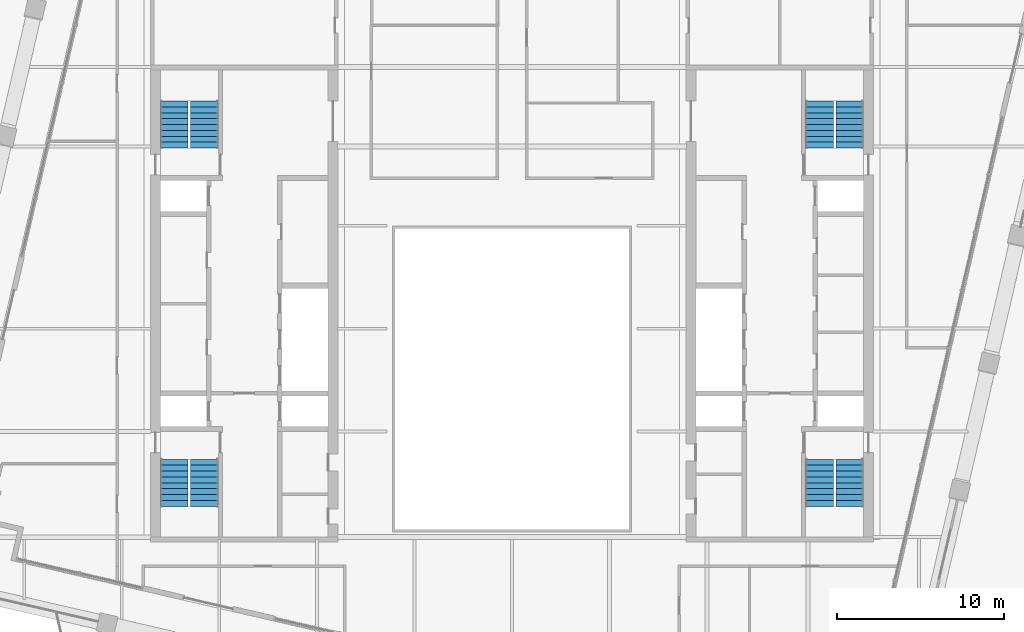
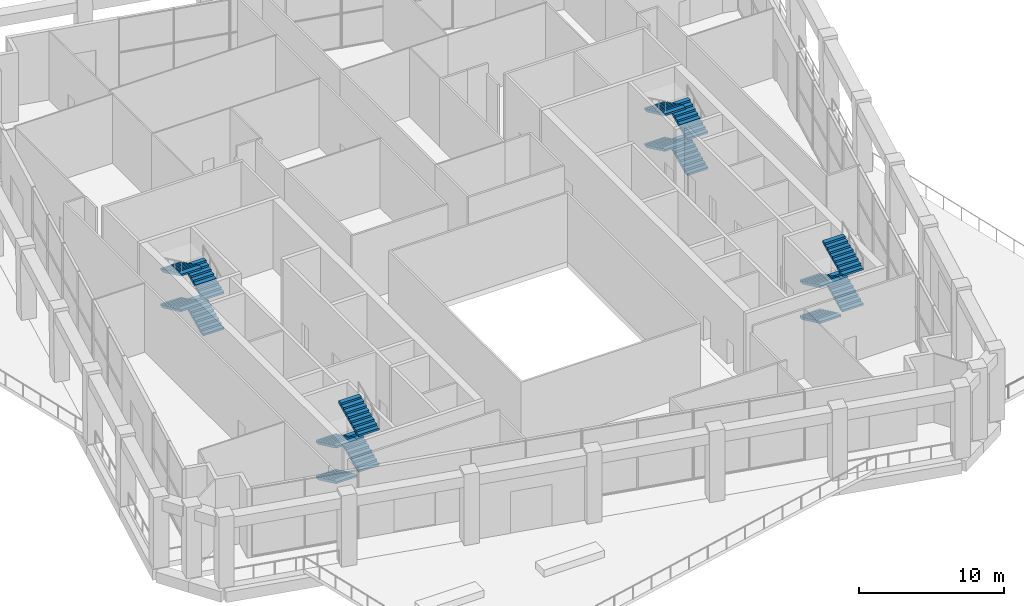
# One storey, part 17 of 21: 16 stair flights, 4 elements without a shape of their own.
"""IFC4 building model written with IfcOpenShell, lengths in metres."""

from ifc_helpers import new_model, si_unit, direction, frame, origin, place, context, subcontext, project, spatial, polyline, outline, extrude, material, type_object, element, aggregate, save


model = new_model("IFC4")

# Units and contexts
model_context = context("Model", 3, precision=1e-05, world=origin(), true_north=direction((0.0, 1.0)))
body_context = subcontext(model_context, "Body", "Model", "MODEL_VIEW")
ifc_project = project(units=[si_unit("LENGTHUNIT", "METRE"), si_unit("AREAUNIT", "SQUARE_METRE"), si_unit("VOLUMEUNIT", "CUBIC_METRE"), si_unit("PLANEANGLEUNIT", "RADIAN"), si_unit("MASSUNIT", "GRAM", prefix="KILO")], contexts=[model_context])

# Site, building, storey
site_placement = place(None, origin())
site = spatial("IfcSite", under=ifc_project, at=site_placement, CompositionType="ELEMENT")
building_placement = place(site_placement, origin())
building = spatial("IfcBuilding", under=site, at=building_placement, Name="Ogive Exchange Tower", CompositionType="ELEMENT")
storey_placement = place(building_placement, frame((0.0, 0.0, 237.0)))
storey = spatial("IfcBuildingStorey", under=building, at=storey_placement, Name="L51", CompositionType="ELEMENT", Elevation=237.0)

# Stair, stair flights
ifc_material = material(Name="Concrete C40/50", Category="concrete")
stair_type = type_object("IfcStairType", Name="Exit stair 1650 wide", PredefinedType="HALF_TURN_STAIR", material=ifc_material)
stair_1_placement = place(storey_placement, origin())
stair_1 = element("IfcStair", 1, at=stair_1_placement, inside=storey, type_object=stair_type, Name="L51 exit stair ST1", PredefinedType="HALF_TURN_STAIR")
stair_flight_type = type_object("IfcStairFlightType", Name="Stair flight 1650 wide", PredefinedType="STRAIGHT", material=ifc_material)
stair_flight_1_placement = place(storey_placement, frame((-20.175048828125, 2.199951171875, 0.0), z_axis=(0.0, 0.0, 1.0), x_axis=(0.0, -1.0, 0.0)))
stair_flight_1 = element("IfcStairFlight", 2, at=stair_flight_1_placement, type_object=stair_flight_type, Name="ST1 flight 1", NumberOfRisers=9, NumberOfTreads=8, PredefinedType="STRAIGHT", RiserHeight=0.166666667, TreadLength=0.351, context=body_context, shape_type="SweptSolid", body=[
    extrude(outline(polyline([(0.0, 0.0), (0.0, 0.166748046875), (0.35107421875, 0.166748046875), (0.35107421875, 0.333251953125), (0.701904296875, 0.333251953125), (0.701904296875, 0.5), (1.052978515625, 0.5), (1.052978515625, 0.666748046875), (1.404052734375, 0.666748046875), (1.404052734375, 0.833251953125), (1.7548828125, 0.833251953125), (1.7548828125, 1.0), (2.10595703125, 1.0), (2.10595703125, 1.166748046875), (2.45703125, 1.166748046875), (2.45703125, 1.333251953125), (2.80810546875, 1.333251953125), (2.80810546875, 1.5), (2.80810546875, 1.16748046875), (0.349365234375, 0.0), (0.0, 0.0)])), frame((0.0, 0.824951171875, 0.0), z_axis=(0.0, -1.0, 0.0), x_axis=(1.0, 0.0, 0.0)), (0.0, 0.0, 1.0), 1.64990234375),
])
stair_flight_2_placement = place(storey_placement, frame((-18.375, -0.60791015625, 1.5), z_axis=(0.0, 0.0, 1.0), x_axis=(0.0, 1.0, 0.0)))
stair_flight_2 = element("IfcStairFlight", 3, at=stair_flight_2_placement, type_object=stair_flight_type, Name="ST1 flight 2", NumberOfRisers=9, NumberOfTreads=8, PredefinedType="STRAIGHT", RiserHeight=0.166666667, TreadLength=0.351, context=body_context, shape_type="SweptSolid", body=[
    extrude(outline(polyline([(0.0, 0.0), (0.0, 0.166748046875), (0.35107421875, 0.166748046875), (0.35107421875, 0.333251953125), (0.701904296875, 0.333251953125), (0.701904296875, 0.5), (1.052978515625, 0.5), (1.052978515625, 0.666748046875), (1.404052734375, 0.666748046875), (1.404052734375, 0.833251953125), (1.7548828125, 0.833251953125), (1.7548828125, 1.0), (2.10595703125, 1.0), (2.10595703125, 1.166748046875), (2.45703125, 1.166748046875), (2.45703125, 1.333251953125), (2.80810546875, 1.333251953125), (2.80810546875, 1.5), (2.80810546875, 1.16748046875), (0.349365234375, 0.0), (0.0, 0.0)])), frame((0.0, 0.824951171875, 0.0), z_axis=(0.0, -1.0, 0.0), x_axis=(1.0, 0.0, 0.0)), (0.0, 0.0, 1.0), 1.64990234375),
])
stair_flight_3_placement = place(storey_placement, frame((-20.175048828125, 2.199951171875, 3.0), z_axis=(0.0, 0.0, 1.0), x_axis=(0.0, -1.0, 0.0)))
stair_flight_3 = element("IfcStairFlight", 4, at=stair_flight_3_placement, type_object=stair_flight_type, Name="ST1 flight 3", NumberOfRisers=9, NumberOfTreads=8, PredefinedType="STRAIGHT", RiserHeight=0.166666667, TreadLength=0.351, context=body_context, shape_type="SweptSolid", body=[
    extrude(outline(polyline([(0.0, 0.0), (0.0, 0.166748046875), (0.35107421875, 0.166748046875), (0.35107421875, 0.333251953125), (0.701904296875, 0.333251953125), (0.701904296875, 0.5), (1.052978515625, 0.5), (1.052978515625, 0.666748046875), (1.404052734375, 0.666748046875), (1.404052734375, 0.833251953125), (1.7548828125, 0.833251953125), (1.7548828125, 1.0), (2.10595703125, 1.0), (2.10595703125, 1.166748046875), (2.45703125, 1.166748046875), (2.45703125, 1.333251953125), (2.80810546875, 1.333251953125), (2.80810546875, 1.5), (2.80810546875, 1.16748046875), (0.349365234375, 0.0), (0.0, 0.0)])), frame((0.0, 0.824951171875, 0.0), z_axis=(0.0, -1.0, 0.0), x_axis=(1.0, 0.0, 0.0)), (0.0, 0.0, 1.0), 1.64990234375),
])
stair_flight_4_placement = place(storey_placement, frame((-18.375, -0.60791015625, 4.5), z_axis=(0.0, 0.0, 1.0), x_axis=(0.0, 1.0, 0.0)))
stair_flight_4 = element("IfcStairFlight", 5, at=stair_flight_4_placement, type_object=stair_flight_type, Name="ST1 flight 4", NumberOfRisers=9, NumberOfTreads=8, PredefinedType="STRAIGHT", RiserHeight=0.166666667, TreadLength=0.351, context=body_context, shape_type="SweptSolid", body=[
    extrude(outline(polyline([(0.0, 0.0), (0.0, 0.166748046875), (0.35107421875, 0.166748046875), (0.35107421875, 0.333251953125), (0.701904296875, 0.333251953125), (0.701904296875, 0.5), (1.052978515625, 0.5), (1.052978515625, 0.666748046875), (1.404052734375, 0.666748046875), (1.404052734375, 0.833251953125), (1.7548828125, 0.833251953125), (1.7548828125, 1.0), (2.10595703125, 1.0), (2.10595703125, 1.166748046875), (2.45703125, 1.166748046875), (2.45703125, 1.333251953125), (2.80810546875, 1.333251953125), (2.80810546875, 1.5), (2.80810546875, 1.16748046875), (0.349365234375, 0.0), (0.0, 0.0)])), frame((0.0, 0.824951171875, 0.0), z_axis=(0.0, -1.0, 0.0), x_axis=(1.0, 0.0, 0.0)), (0.0, 0.0, 1.0), 1.64990234375),
])
aggregate(stair_1, [stair_flight_1, stair_flight_2, stair_flight_3, stair_flight_4])

stair_2_placement = place(storey_placement, origin())
stair_2 = element("IfcStair", 6, at=stair_2_placement, inside=storey, type_object=stair_type, Name="L51 exit stair ST2", PredefinedType="HALF_TURN_STAIR")
stair_flight_5_placement = place(storey_placement, frame((-18.375, 20.800048828125, 0.0), z_axis=(0.0, 0.0, 1.0), x_axis=(0.0, 1.0, 0.0)))
stair_flight_5 = element("IfcStairFlight", 7, at=stair_flight_5_placement, type_object=stair_flight_type, Name="ST2 flight 1", NumberOfRisers=9, NumberOfTreads=8, PredefinedType="STRAIGHT", RiserHeight=0.166666667, TreadLength=0.351, context=body_context, shape_type="SweptSolid", body=[
    extrude(outline(polyline([(0.0, 0.0), (0.0, 0.166748046875), (0.35107421875, 0.166748046875), (0.35107421875, 0.333251953125), (0.701904296875, 0.333251953125), (0.701904296875, 0.5), (1.052978515625, 0.5), (1.052978515625, 0.666748046875), (1.404052734375, 0.666748046875), (1.404052734375, 0.833251953125), (1.7548828125, 0.833251953125), (1.7548828125, 1.0), (2.10595703125, 1.0), (2.10595703125, 1.166748046875), (2.45703125, 1.166748046875), (2.45703125, 1.333251953125), (2.80810546875, 1.333251953125), (2.80810546875, 1.5), (2.80810546875, 1.16748046875), (0.349365234375, 0.0), (0.0, 0.0)])), frame((0.0, 0.824951171875, 0.0), z_axis=(0.0, -1.0, 0.0), x_axis=(1.0, 0.0, 0.0)), (0.0, 0.0, 1.0), 1.64990234375),
])
stair_flight_6_placement = place(storey_placement, frame((-20.175048828125, 23.60791015625, 1.5), z_axis=(0.0, 0.0, 1.0), x_axis=(0.0, -1.0, 0.0)))
stair_flight_6 = element("IfcStairFlight", 8, at=stair_flight_6_placement, type_object=stair_flight_type, Name="ST2 flight 2", NumberOfRisers=9, NumberOfTreads=8, PredefinedType="STRAIGHT", RiserHeight=0.166666667, TreadLength=0.351, context=body_context, shape_type="SweptSolid", body=[
    extrude(outline(polyline([(0.0, 0.0), (0.0, 0.166748046875), (0.35107421875, 0.166748046875), (0.35107421875, 0.333251953125), (0.701904296875, 0.333251953125), (0.701904296875, 0.5), (1.052978515625, 0.5), (1.052978515625, 0.666748046875), (1.404052734375, 0.666748046875), (1.404052734375, 0.833251953125), (1.7548828125, 0.833251953125), (1.7548828125, 1.0), (2.10595703125, 1.0), (2.10595703125, 1.166748046875), (2.45703125, 1.166748046875), (2.45703125, 1.333251953125), (2.80810546875, 1.333251953125), (2.80810546875, 1.5), (2.80810546875, 1.16748046875), (0.349365234375, 0.0), (0.0, 0.0)])), frame((0.0, 0.824951171875, 0.0), z_axis=(0.0, -1.0, 0.0), x_axis=(1.0, 0.0, 0.0)), (0.0, 0.0, 1.0), 1.64990234375),
])
stair_flight_7_placement = place(storey_placement, frame((-18.375, 20.800048828125, 3.0), z_axis=(0.0, 0.0, 1.0), x_axis=(0.0, 1.0, 0.0)))
stair_flight_7 = element("IfcStairFlight", 9, at=stair_flight_7_placement, type_object=stair_flight_type, Name="ST2 flight 3", NumberOfRisers=9, NumberOfTreads=8, PredefinedType="STRAIGHT", RiserHeight=0.166666667, TreadLength=0.351, context=body_context, shape_type="SweptSolid", body=[
    extrude(outline(polyline([(0.0, 0.0), (0.0, 0.166748046875), (0.35107421875, 0.166748046875), (0.35107421875, 0.333251953125), (0.701904296875, 0.333251953125), (0.701904296875, 0.5), (1.052978515625, 0.5), (1.052978515625, 0.666748046875), (1.404052734375, 0.666748046875), (1.404052734375, 0.833251953125), (1.7548828125, 0.833251953125), (1.7548828125, 1.0), (2.10595703125, 1.0), (2.10595703125, 1.166748046875), (2.45703125, 1.166748046875), (2.45703125, 1.333251953125), (2.80810546875, 1.333251953125), (2.80810546875, 1.5), (2.80810546875, 1.16748046875), (0.349365234375, 0.0), (0.0, 0.0)])), frame((0.0, 0.824951171875, 0.0), z_axis=(0.0, -1.0, 0.0), x_axis=(1.0, 0.0, 0.0)), (0.0, 0.0, 1.0), 1.64990234375),
])
stair_flight_8_placement = place(storey_placement, frame((-20.175048828125, 23.60791015625, 4.5), z_axis=(0.0, 0.0, 1.0), x_axis=(0.0, -1.0, 0.0)))
stair_flight_8 = element("IfcStairFlight", 10, at=stair_flight_8_placement, type_object=stair_flight_type, Name="ST2 flight 4", NumberOfRisers=9, NumberOfTreads=8, PredefinedType="STRAIGHT", RiserHeight=0.166666667, TreadLength=0.351, context=body_context, shape_type="SweptSolid", body=[
    extrude(outline(polyline([(0.0, 0.0), (0.0, 0.166748046875), (0.35107421875, 0.166748046875), (0.35107421875, 0.333251953125), (0.701904296875, 0.333251953125), (0.701904296875, 0.5), (1.052978515625, 0.5), (1.052978515625, 0.666748046875), (1.404052734375, 0.666748046875), (1.404052734375, 0.833251953125), (1.7548828125, 0.833251953125), (1.7548828125, 1.0), (2.10595703125, 1.0), (2.10595703125, 1.166748046875), (2.45703125, 1.166748046875), (2.45703125, 1.333251953125), (2.80810546875, 1.333251953125), (2.80810546875, 1.5), (2.80810546875, 1.16748046875), (0.349365234375, 0.0), (0.0, 0.0)])), frame((0.0, 0.824951171875, 0.0), z_axis=(0.0, -1.0, 0.0), x_axis=(1.0, 0.0, 0.0)), (0.0, 0.0, 1.0), 1.64990234375),
])
aggregate(stair_2, [stair_flight_5, stair_flight_6, stair_flight_7, stair_flight_8])

stair_3_placement = place(storey_placement, origin())
stair_3 = element("IfcStair", 11, at=stair_3_placement, inside=storey, type_object=stair_type, Name="L51 exit stair ST3", PredefinedType="HALF_TURN_STAIR")
stair_flight_9_placement = place(storey_placement, frame((18.375, 2.199951171875, 0.0), z_axis=(0.0, 0.0, 1.0), x_axis=(0.0, -1.0, 0.0)))
stair_flight_9 = element("IfcStairFlight", 12, at=stair_flight_9_placement, type_object=stair_flight_type, Name="ST3 flight 1", NumberOfRisers=9, NumberOfTreads=8, PredefinedType="STRAIGHT", RiserHeight=0.166666667, TreadLength=0.351, context=body_context, shape_type="SweptSolid", body=[
    extrude(outline(polyline([(0.0, 0.0), (0.0, 0.166748046875), (0.35107421875, 0.166748046875), (0.35107421875, 0.333251953125), (0.701904296875, 0.333251953125), (0.701904296875, 0.5), (1.052978515625, 0.5), (1.052978515625, 0.666748046875), (1.404052734375, 0.666748046875), (1.404052734375, 0.833251953125), (1.7548828125, 0.833251953125), (1.7548828125, 1.0), (2.10595703125, 1.0), (2.10595703125, 1.166748046875), (2.45703125, 1.166748046875), (2.45703125, 1.333251953125), (2.80810546875, 1.333251953125), (2.80810546875, 1.5), (2.80810546875, 1.16748046875), (0.349365234375, 0.0), (0.0, 0.0)])), frame((0.0, 0.824951171875, 0.0), z_axis=(0.0, -1.0, 0.0), x_axis=(1.0, 0.0, 0.0)), (0.0, 0.0, 1.0), 1.64990234375),
])
stair_flight_10_placement = place(storey_placement, frame((20.175048828125, -0.60791015625, 1.5), z_axis=(0.0, 0.0, 1.0), x_axis=(0.0, 1.0, 0.0)))
stair_flight_10 = element("IfcStairFlight", 13, at=stair_flight_10_placement, type_object=stair_flight_type, Name="ST3 flight 2", NumberOfRisers=9, NumberOfTreads=8, PredefinedType="STRAIGHT", RiserHeight=0.166666667, TreadLength=0.351, context=body_context, shape_type="SweptSolid", body=[
    extrude(outline(polyline([(0.0, 0.0), (0.0, 0.166748046875), (0.35107421875, 0.166748046875), (0.35107421875, 0.333251953125), (0.701904296875, 0.333251953125), (0.701904296875, 0.5), (1.052978515625, 0.5), (1.052978515625, 0.666748046875), (1.404052734375, 0.666748046875), (1.404052734375, 0.833251953125), (1.7548828125, 0.833251953125), (1.7548828125, 1.0), (2.10595703125, 1.0), (2.10595703125, 1.166748046875), (2.45703125, 1.166748046875), (2.45703125, 1.333251953125), (2.80810546875, 1.333251953125), (2.80810546875, 1.5), (2.80810546875, 1.16748046875), (0.349365234375, 0.0), (0.0, 0.0)])), frame((0.0, 0.824951171875, 0.0), z_axis=(0.0, -1.0, 0.0), x_axis=(1.0, 0.0, 0.0)), (0.0, 0.0, 1.0), 1.64990234375),
])
stair_flight_11_placement = place(storey_placement, frame((18.375, 2.199951171875, 3.0), z_axis=(0.0, 0.0, 1.0), x_axis=(0.0, -1.0, 0.0)))
stair_flight_11 = element("IfcStairFlight", 14, at=stair_flight_11_placement, type_object=stair_flight_type, Name="ST3 flight 3", NumberOfRisers=9, NumberOfTreads=8, PredefinedType="STRAIGHT", RiserHeight=0.166666667, TreadLength=0.351, context=body_context, shape_type="SweptSolid", body=[
    extrude(outline(polyline([(0.0, 0.0), (0.0, 0.166748046875), (0.35107421875, 0.166748046875), (0.35107421875, 0.333251953125), (0.701904296875, 0.333251953125), (0.701904296875, 0.5), (1.052978515625, 0.5), (1.052978515625, 0.666748046875), (1.404052734375, 0.666748046875), (1.404052734375, 0.833251953125), (1.7548828125, 0.833251953125), (1.7548828125, 1.0), (2.10595703125, 1.0), (2.10595703125, 1.166748046875), (2.45703125, 1.166748046875), (2.45703125, 1.333251953125), (2.80810546875, 1.333251953125), (2.80810546875, 1.5), (2.80810546875, 1.16748046875), (0.349365234375, 0.0), (0.0, 0.0)])), frame((0.0, 0.824951171875, 0.0), z_axis=(0.0, -1.0, 0.0), x_axis=(1.0, 0.0, 0.0)), (0.0, 0.0, 1.0), 1.64990234375),
])
stair_flight_12_placement = place(storey_placement, frame((20.175048828125, -0.60791015625, 4.5), z_axis=(0.0, 0.0, 1.0), x_axis=(0.0, 1.0, 0.0)))
stair_flight_12 = element("IfcStairFlight", 15, at=stair_flight_12_placement, type_object=stair_flight_type, Name="ST3 flight 4", NumberOfRisers=9, NumberOfTreads=8, PredefinedType="STRAIGHT", RiserHeight=0.166666667, TreadLength=0.351, context=body_context, shape_type="SweptSolid", body=[
    extrude(outline(polyline([(0.0, 0.0), (0.0, 0.166748046875), (0.35107421875, 0.166748046875), (0.35107421875, 0.333251953125), (0.701904296875, 0.333251953125), (0.701904296875, 0.5), (1.052978515625, 0.5), (1.052978515625, 0.666748046875), (1.404052734375, 0.666748046875), (1.404052734375, 0.833251953125), (1.7548828125, 0.833251953125), (1.7548828125, 1.0), (2.10595703125, 1.0), (2.10595703125, 1.166748046875), (2.45703125, 1.166748046875), (2.45703125, 1.333251953125), (2.80810546875, 1.333251953125), (2.80810546875, 1.5), (2.80810546875, 1.16748046875), (0.349365234375, 0.0), (0.0, 0.0)])), frame((0.0, 0.824951171875, 0.0), z_axis=(0.0, -1.0, 0.0), x_axis=(1.0, 0.0, 0.0)), (0.0, 0.0, 1.0), 1.64990234375),
])
aggregate(stair_3, [stair_flight_9, stair_flight_10, stair_flight_11, stair_flight_12])

stair_4_placement = place(storey_placement, origin())
stair_4 = element("IfcStair", 16, at=stair_4_placement, inside=storey, type_object=stair_type, Name="L51 exit stair ST4", PredefinedType="HALF_TURN_STAIR")
stair_flight_13_placement = place(storey_placement, frame((20.175048828125, 20.800048828125, 0.0), z_axis=(0.0, 0.0, 1.0), x_axis=(0.0, 1.0, 0.0)))
stair_flight_13 = element("IfcStairFlight", 17, at=stair_flight_13_placement, type_object=stair_flight_type, Name="ST4 flight 1", NumberOfRisers=9, NumberOfTreads=8, PredefinedType="STRAIGHT", RiserHeight=0.166666667, TreadLength=0.351, context=body_context, shape_type="SweptSolid", body=[
    extrude(outline(polyline([(0.0, 0.0), (0.0, 0.166748046875), (0.35107421875, 0.166748046875), (0.35107421875, 0.333251953125), (0.701904296875, 0.333251953125), (0.701904296875, 0.5), (1.052978515625, 0.5), (1.052978515625, 0.666748046875), (1.404052734375, 0.666748046875), (1.404052734375, 0.833251953125), (1.7548828125, 0.833251953125), (1.7548828125, 1.0), (2.10595703125, 1.0), (2.10595703125, 1.166748046875), (2.45703125, 1.166748046875), (2.45703125, 1.333251953125), (2.80810546875, 1.333251953125), (2.80810546875, 1.5), (2.80810546875, 1.16748046875), (0.349365234375, 0.0), (0.0, 0.0)])), frame((0.0, 0.824951171875, 0.0), z_axis=(0.0, -1.0, 0.0), x_axis=(1.0, 0.0, 0.0)), (0.0, 0.0, 1.0), 1.64990234375),
])
stair_flight_14_placement = place(storey_placement, frame((18.375, 23.60791015625, 1.5), z_axis=(0.0, 0.0, 1.0), x_axis=(0.0, -1.0, 0.0)))
stair_flight_14 = element("IfcStairFlight", 18, at=stair_flight_14_placement, type_object=stair_flight_type, Name="ST4 flight 2", NumberOfRisers=9, NumberOfTreads=8, PredefinedType="STRAIGHT", RiserHeight=0.166666667, TreadLength=0.351, context=body_context, shape_type="SweptSolid", body=[
    extrude(outline(polyline([(0.0, 0.0), (0.0, 0.166748046875), (0.35107421875, 0.166748046875), (0.35107421875, 0.333251953125), (0.701904296875, 0.333251953125), (0.701904296875, 0.5), (1.052978515625, 0.5), (1.052978515625, 0.666748046875), (1.404052734375, 0.666748046875), (1.404052734375, 0.833251953125), (1.7548828125, 0.833251953125), (1.7548828125, 1.0), (2.10595703125, 1.0), (2.10595703125, 1.166748046875), (2.45703125, 1.166748046875), (2.45703125, 1.333251953125), (2.80810546875, 1.333251953125), (2.80810546875, 1.5), (2.80810546875, 1.16748046875), (0.349365234375, 0.0), (0.0, 0.0)])), frame((0.0, 0.824951171875, 0.0), z_axis=(0.0, -1.0, 0.0), x_axis=(1.0, 0.0, 0.0)), (0.0, 0.0, 1.0), 1.64990234375),
])
stair_flight_15_placement = place(storey_placement, frame((20.175048828125, 20.800048828125, 3.0), z_axis=(0.0, 0.0, 1.0), x_axis=(0.0, 1.0, 0.0)))
stair_flight_15 = element("IfcStairFlight", 19, at=stair_flight_15_placement, type_object=stair_flight_type, Name="ST4 flight 3", NumberOfRisers=9, NumberOfTreads=8, PredefinedType="STRAIGHT", RiserHeight=0.166666667, TreadLength=0.351, context=body_context, shape_type="SweptSolid", body=[
    extrude(outline(polyline([(0.0, 0.0), (0.0, 0.166748046875), (0.35107421875, 0.166748046875), (0.35107421875, 0.333251953125), (0.701904296875, 0.333251953125), (0.701904296875, 0.5), (1.052978515625, 0.5), (1.052978515625, 0.666748046875), (1.404052734375, 0.666748046875), (1.404052734375, 0.833251953125), (1.7548828125, 0.833251953125), (1.7548828125, 1.0), (2.10595703125, 1.0), (2.10595703125, 1.166748046875), (2.45703125, 1.166748046875), (2.45703125, 1.333251953125), (2.80810546875, 1.333251953125), (2.80810546875, 1.5), (2.80810546875, 1.16748046875), (0.349365234375, 0.0), (0.0, 0.0)])), frame((0.0, 0.824951171875, 0.0), z_axis=(0.0, -1.0, 0.0), x_axis=(1.0, 0.0, 0.0)), (0.0, 0.0, 1.0), 1.64990234375),
])
stair_flight_16_placement = place(storey_placement, frame((18.375, 23.60791015625, 4.5), z_axis=(0.0, 0.0, 1.0), x_axis=(0.0, -1.0, 0.0)))
stair_flight_16 = element("IfcStairFlight", 20, at=stair_flight_16_placement, type_object=stair_flight_type, Name="ST4 flight 4", NumberOfRisers=9, NumberOfTreads=8, PredefinedType="STRAIGHT", RiserHeight=0.166666667, TreadLength=0.351, context=body_context, shape_type="SweptSolid", body=[
    extrude(outline(polyline([(0.0, 0.0), (0.0, 0.166748046875), (0.35107421875, 0.166748046875), (0.35107421875, 0.333251953125), (0.701904296875, 0.333251953125), (0.701904296875, 0.5), (1.052978515625, 0.5), (1.052978515625, 0.666748046875), (1.404052734375, 0.666748046875), (1.404052734375, 0.833251953125), (1.7548828125, 0.833251953125), (1.7548828125, 1.0), (2.10595703125, 1.0), (2.10595703125, 1.166748046875), (2.45703125, 1.166748046875), (2.45703125, 1.333251953125), (2.80810546875, 1.333251953125), (2.80810546875, 1.5), (2.80810546875, 1.16748046875), (0.349365234375, 0.0), (0.0, 0.0)])), frame((0.0, 0.824951171875, 0.0), z_axis=(0.0, -1.0, 0.0), x_axis=(1.0, 0.0, 0.0)), (0.0, 0.0, 1.0), 1.64990234375),
])
aggregate(stair_4, [stair_flight_13, stair_flight_14, stair_flight_15, stair_flight_16])

save(model, "model.ifc")
